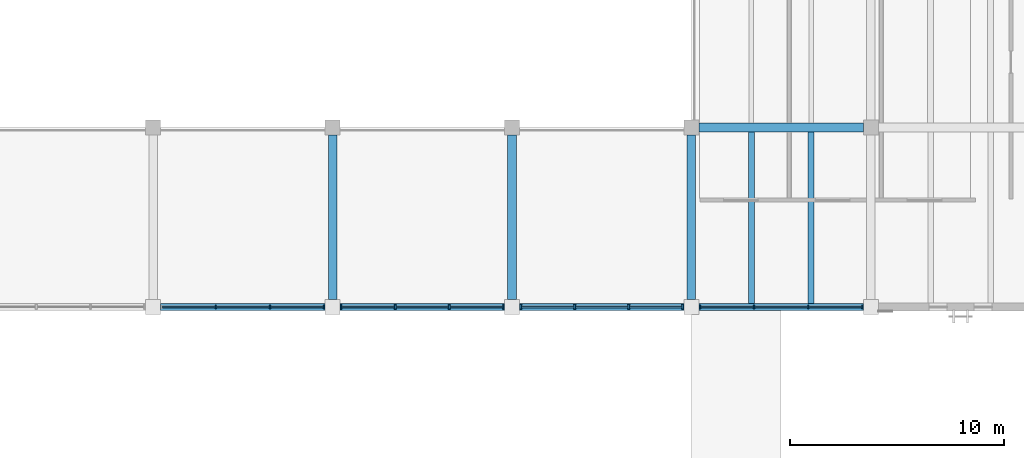
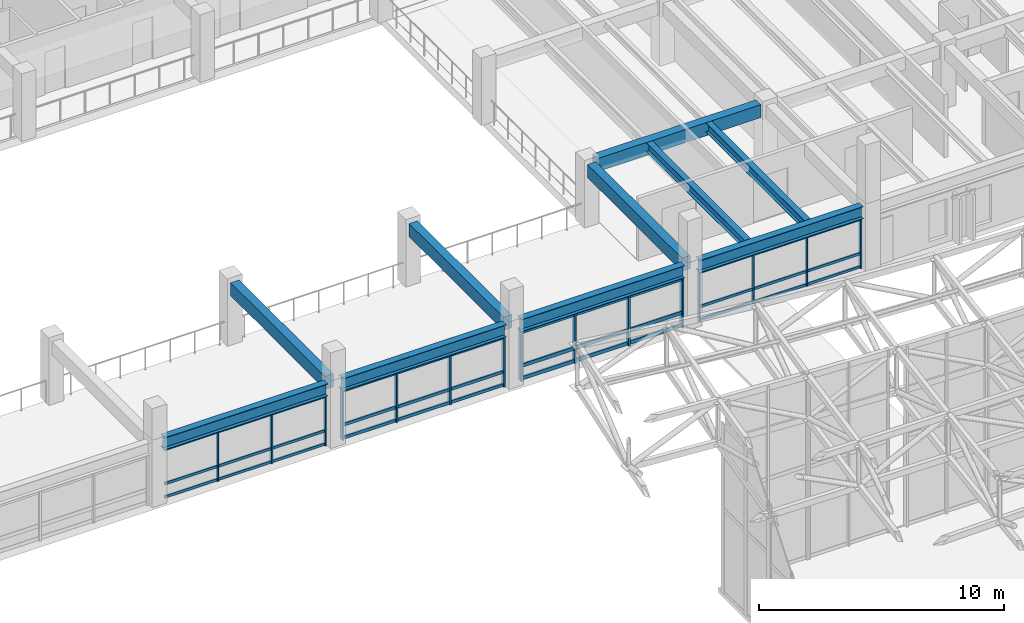
# One storey, part 55 of 123: 51 members, 10 beams, 4 elements without a shape of their own.
"""IFC4 building model written with IfcOpenShell, lengths in metres."""

from ifc_helpers import new_model, si_unit, direction, frame, origin, origin_2d, place, context, subcontext, project, spatial, rectangle, i_section, extrude, material, material_profile, profile_set, type_object, element, aggregate, save


model = new_model("IFC4")

# Units and contexts
model_context = context("Model", 3, precision=1e-05, world=origin(), true_north=direction((0.0, 1.0)))
body_context = subcontext(model_context, "Body", "Model", "MODEL_VIEW")
ifc_project = project(units=[si_unit("LENGTHUNIT", "METRE"), si_unit("AREAUNIT", "SQUARE_METRE"), si_unit("VOLUMEUNIT", "CUBIC_METRE"), si_unit("PLANEANGLEUNIT", "RADIAN"), si_unit("MASSUNIT", "GRAM", prefix="KILO")], contexts=[model_context])

# Site, building, storey
site_placement = place(None, origin())
site = spatial("IfcSite", under=ifc_project, at=site_placement, CompositionType="ELEMENT")
building_placement = place(site_placement, origin())
building = spatial("IfcBuilding", under=site, at=building_placement, Name="Cumbredor Promenade Congress Hotel", CompositionType="ELEMENT")
storey_placement = place(building_placement, frame((0.0, 0.0, 11.760009765625)))
storey = spatial("IfcBuildingStorey", under=building, at=storey_placement, Name="L03", CompositionType="ELEMENT", Elevation=11.760009765625)

# Beams
ifc_material_1 = material(Name="Concrete C40/50", Category="concrete")
ifc_material_profile_1 = material_profile(ifc_material_1, rectangle(XDim=0.39990234375, YDim=0.64990234375, at=origin_2d()), Name="RC BEAM 400x650")
ifc_profile_set_1 = profile_set([ifc_material_profile_1], Name="Concrete C40/50")
beam_type_1 = type_object("IfcBeamType", Name="BM-RC-400x650", PredefinedType="BEAM", material=ifc_profile_set_1)
for number, where, z_axis, x_axis, name in (
    (1, (134.39990234375, 84.35009765625, 2.794921875), (0.0, 1.0, 0.0), (-1.0, 0.0, 0.0), "L04 Y-Grid Beam 195"),
    (2, (142.800048828125, 84.35009765625, 2.794921875), (0.0, 1.0, 0.0), (-1.0, 0.0, 0.0), "L04 Y-Grid Beam 199"),
    (3, (151.199951171875, 84.35009765625, 2.794921875), (0.0, 1.0, 0.0), (-1.0, 0.0, 0.0), "L04 Y-Grid Beam 203"),
    (4, (151.550048828125, 92.39990234375, 2.794921875), (1.0, 0.0, 0.0), (0.0, 1.0, 0.0), "L04 X-Grid Beam 204"),
):
    element("IfcBeam", number, at=place(storey_placement, frame(where, z_axis=z_axis, x_axis=x_axis)), inside=storey, type_object=beam_type_1, Name=name, PredefinedType="BEAM", context=body_context, shape_type="SweptSolid", body=[
        extrude(rectangle(XDim=0.39990234375, YDim=0.64990234375, at=origin_2d()), origin(), (0.0, 0.0, 1.0), 7.699951171875),
    ])
ifc_material_2 = material(Name="Steel ASTM A992 Grade 50", Category="steel")
ifc_material_profile_2 = material_profile(ifc_material_2, i_section(OverallWidth=0.323974609375, OverallDepth=0.611083984375, WebThickness=0.0126953125, FlangeThickness=0.01904296875, at=origin_2d()), Name="W24X104")
ifc_profile_set_2 = profile_set([ifc_material_profile_2], Name="Steel ASTM A992 Grade 50")
beam_type_2 = type_object("IfcBeamType", Name="BM-W24X104", PredefinedType="BEAM", material=ifc_profile_set_2)
for number, where, z_axis, x_axis, name in (
    (5, (126.35009765625, 84.0, 2.814453125), (1.0, 0.0, 0.0), (0.0, 1.0, 0.0), "L04 X-Grid Beam 190"),
    (6, (134.75, 84.0, 2.814453125), (1.0, 0.0, 0.0), (0.0, 1.0, 0.0), "L04 X-Grid Beam 194"),
):
    element("IfcBeam", number, at=place(storey_placement, frame(where, z_axis=z_axis, x_axis=x_axis)), inside=storey, type_object=beam_type_2, Name=name, PredefinedType="BEAM", context=body_context, shape_type="SweptSolid", body=[
        extrude(i_section(OverallWidth=0.323974609375, OverallDepth=0.611083984375, WebThickness=0.0126953125, FlangeThickness=0.01904296875, at=origin_2d()), origin(), (0.0, 0.0, 1.0), 7.699951171875),
    ])
beam_1_placement = place(storey_placement, frame((143.14990234375, 84.0, 2.814453125), z_axis=(1.0, 0.0, 0.0), x_axis=(0.0, 1.0, 0.0)))
element("IfcBeam", 7, at=beam_1_placement, inside=storey, type_object=beam_type_2, Name="L04 X-Grid Beam 198", PredefinedType="BEAM", context=body_context, shape_type="SweptSolid", body=[
    extrude(i_section(OverallWidth=0.323974609375, OverallDepth=0.611083984375, WebThickness=0.0126953125, FlangeThickness=0.01904296875, at=origin_2d()), origin(), (0.0, 0.0, 1.0), 7.7001953125),
])
beam_2_placement = place(storey_placement, frame((151.550048828125, 84.0, 2.814453125), z_axis=(1.0, 0.0, 0.0), x_axis=(0.0, 1.0, 0.0)))
element("IfcBeam", 8, at=beam_2_placement, inside=storey, type_object=beam_type_2, Name="L04 X-Grid Beam 202", PredefinedType="BEAM", context=body_context, shape_type="SweptSolid", body=[
    extrude(i_section(OverallWidth=0.323974609375, OverallDepth=0.611083984375, WebThickness=0.0126953125, FlangeThickness=0.01904296875, at=origin_2d()), origin(), (0.0, 0.0, 1.0), 7.699951171875),
])

# Curtain wall, members
ifc_material_3 = material(Name="Thermally broken anodized aluminium and low-E glass", Category="aluminium")
curtain_wall_type = type_object("IfcCurtainWallType", Name="Unitised Forum Curtain Wall CW-02", PredefinedType="NOTDEFINED", material=ifc_material_3)
curtain_wall_1_placement = place(storey_placement, origin())
curtain_wall_1 = element("IfcCurtainWall", 9, at=curtain_wall_1_placement, inside=storey, type_object=curtain_wall_type, Name="L03 Pre-Function and Breakout Meeting Forum South Curtain Wall 5", PredefinedType="NOTDEFINED")
ifc_material_4 = material(Name="Thermally broken anodized aluminium", Category="aluminium")
ifc_material_profile_3 = material_profile(ifc_material_4, rectangle(XDim=0.06494140625, YDim=0.159912109375, at=origin_2d()), Name="ALU MULLION 65x160")
ifc_profile_set_3 = profile_set([ifc_material_profile_3], Name="Thermally broken anodized aluminium")
member_type_1 = type_object("IfcMemberType", Name="Curtain Wall Mullion ML-01", PredefinedType="MULLION", material=ifc_profile_set_3)
member_1_placement = place(storey_placement, frame((128.93505859375, 84.0, -0.008056640625), z_axis=(0.0, 0.0, 1.0), x_axis=(1.0, 0.0, 0.0)))
member_1 = element("IfcMember", 10, at=member_1_placement, type_object=member_type_1, Name="L03 Pre-Function and Breakout Meeting Forum South Curtain Wall 5 Mullion 2", PredefinedType="MULLION", context=body_context, shape_type="SweptSolid", body=[
    extrude(rectangle(XDim=0.06494140625, YDim=0.159912109375, at=origin_2d()), origin(), (0.0, 0.0, 1.0), 2.510009765625),
])
member_2_placement = place(storey_placement, frame((131.465087890625, 84.0, -0.008056640625), z_axis=(0.0, 0.0, 1.0), x_axis=(1.0, 0.0, 0.0)))
member_2 = element("IfcMember", 11, at=member_2_placement, type_object=member_type_1, Name="L03 Pre-Function and Breakout Meeting Forum South Curtain Wall 5 Mullion 3", PredefinedType="MULLION", context=body_context, shape_type="SweptSolid", body=[
    extrude(rectangle(XDim=0.06494140625, YDim=0.159912109375, at=origin_2d()), origin(), (0.0, 0.0, 1.0), 2.510009765625),
])
member_3_placement = place(storey_placement, frame((133.9951171875, 84.0, -0.008056640625), z_axis=(0.0, 0.0, 1.0), x_axis=(1.0, 0.0, 0.0)))
member_3 = element("IfcMember", 12, at=member_3_placement, type_object=member_type_1, Name="L03 Pre-Function and Breakout Meeting Forum South Curtain Wall 5 Mullion 4", PredefinedType="MULLION", context=body_context, shape_type="SweptSolid", body=[
    extrude(rectangle(XDim=0.06494140625, YDim=0.159912109375, at=origin_2d()), origin(), (0.0, 0.0, 1.0), 2.510009765625),
])

curtain_wall_2_placement = place(storey_placement, origin())
curtain_wall_2 = element("IfcCurtainWall", 13, at=curtain_wall_2_placement, inside=storey, type_object=curtain_wall_type, Name="L03 Pre-Function and Breakout Meeting Forum South Curtain Wall 8", PredefinedType="NOTDEFINED")
member_4_placement = place(storey_placement, frame((151.60498046875, 84.0, -0.008056640625), z_axis=(0.0, 0.0, 1.0), x_axis=(1.0, 0.0, 0.0)))
member_4 = element("IfcMember", 14, at=member_4_placement, type_object=member_type_1, Name="L03 Pre-Function and Breakout Meeting Forum South Curtain Wall 8 Mullion 1", PredefinedType="MULLION", context=body_context, shape_type="SweptSolid", body=[
    extrude(rectangle(XDim=0.06494140625, YDim=0.159912109375, at=origin_2d()), origin(), (0.0, 0.0, 1.0), 2.510009765625),
])
member_5_placement = place(storey_placement, frame((154.135009765625, 84.0, -0.008056640625), z_axis=(0.0, 0.0, 1.0), x_axis=(1.0, 0.0, 0.0)))
member_5 = element("IfcMember", 15, at=member_5_placement, type_object=member_type_1, Name="L03 Pre-Function and Breakout Meeting Forum South Curtain Wall 8 Mullion 2", PredefinedType="MULLION", context=body_context, shape_type="SweptSolid", body=[
    extrude(rectangle(XDim=0.06494140625, YDim=0.159912109375, at=origin_2d()), origin(), (0.0, 0.0, 1.0), 2.510009765625),
])
member_6_placement = place(storey_placement, frame((156.6650390625, 84.0, -0.008056640625), z_axis=(0.0, 0.0, 1.0), x_axis=(1.0, 0.0, 0.0)))
member_6 = element("IfcMember", 16, at=member_6_placement, type_object=member_type_1, Name="L03 Pre-Function and Breakout Meeting Forum South Curtain Wall 8 Mullion 3", PredefinedType="MULLION", context=body_context, shape_type="SweptSolid", body=[
    extrude(rectangle(XDim=0.06494140625, YDim=0.159912109375, at=origin_2d()), origin(), (0.0, 0.0, 1.0), 2.510009765625),
])
member_7_placement = place(storey_placement, frame((159.195068359375, 84.0, -0.008056640625), z_axis=(0.0, 0.0, 1.0), x_axis=(1.0, 0.0, 0.0)))
member_7 = element("IfcMember", 17, at=member_7_placement, type_object=member_type_1, Name="L03 Pre-Function and Breakout Meeting Forum South Curtain Wall 8 Mullion 4", PredefinedType="MULLION", context=body_context, shape_type="SweptSolid", body=[
    extrude(rectangle(XDim=0.06494140625, YDim=0.159912109375, at=origin_2d()), origin(), (0.0, 0.0, 1.0), 2.510009765625),
])

curtain_wall_3_placement = place(storey_placement, origin())
curtain_wall_3 = element("IfcCurtainWall", 18, at=curtain_wall_3_placement, inside=storey, type_object=curtain_wall_type, Name="L03 Pre-Function and Breakout Meeting Forum South Curtain Wall 6", PredefinedType="NOTDEFINED")
ifc_material_profile_4 = material_profile(ifc_material_4, rectangle(XDim=0.074951171875, YDim=0.199951171875, at=origin_2d()), Name="ALU MULLION 75x200")
ifc_profile_set_4 = profile_set([ifc_material_profile_4], Name="Thermally broken anodized aluminium")
member_type_2 = type_object("IfcMemberType", Name="Curtain Wall Mullion ML-02", PredefinedType="MULLION", material=ifc_profile_set_4)
member_8_placement = place(storey_placement, frame((134.804931640625, 84.0, -0.008056640625), z_axis=(0.0, 0.0, 1.0), x_axis=(1.0, 0.0, 0.0)))
member_8 = element("IfcMember", 19, at=member_8_placement, type_object=member_type_2, Name="L03 Pre-Function and Breakout Meeting Forum South Curtain Wall 6 Mullion 1", PredefinedType="MULLION", context=body_context, shape_type="SweptSolid", body=[
    extrude(rectangle(XDim=0.074951171875, YDim=0.199951171875, at=origin_2d()), origin(), (0.0, 0.0, 1.0), 2.510009765625),
])
member_9_placement = place(storey_placement, frame((137.3349609375, 84.0, -0.008056640625), z_axis=(0.0, 0.0, 1.0), x_axis=(1.0, 0.0, 0.0)))
member_9 = element("IfcMember", 20, at=member_9_placement, type_object=member_type_2, Name="L03 Pre-Function and Breakout Meeting Forum South Curtain Wall 6 Mullion 2", PredefinedType="MULLION", context=body_context, shape_type="SweptSolid", body=[
    extrude(rectangle(XDim=0.074951171875, YDim=0.199951171875, at=origin_2d()), origin(), (0.0, 0.0, 1.0), 2.510009765625),
])
member_10_placement = place(storey_placement, frame((139.864990234375, 84.0, -0.008056640625), z_axis=(0.0, 0.0, 1.0), x_axis=(1.0, 0.0, 0.0)))
member_10 = element("IfcMember", 21, at=member_10_placement, type_object=member_type_2, Name="L03 Pre-Function and Breakout Meeting Forum South Curtain Wall 6 Mullion 3", PredefinedType="MULLION", context=body_context, shape_type="SweptSolid", body=[
    extrude(rectangle(XDim=0.074951171875, YDim=0.199951171875, at=origin_2d()), origin(), (0.0, 0.0, 1.0), 2.510009765625),
])
member_11_placement = place(storey_placement, frame((142.39501953125, 84.0, -0.008056640625), z_axis=(0.0, 0.0, 1.0), x_axis=(1.0, 0.0, 0.0)))
member_11 = element("IfcMember", 22, at=member_11_placement, type_object=member_type_2, Name="L03 Pre-Function and Breakout Meeting Forum South Curtain Wall 6 Mullion 4", PredefinedType="MULLION", context=body_context, shape_type="SweptSolid", body=[
    extrude(rectangle(XDim=0.074951171875, YDim=0.199951171875, at=origin_2d()), origin(), (0.0, 0.0, 1.0), 2.510009765625),
])

curtain_wall_4_placement = place(storey_placement, origin())
curtain_wall_4 = element("IfcCurtainWall", 23, at=curtain_wall_4_placement, inside=storey, type_object=curtain_wall_type, Name="L03 Pre-Function and Breakout Meeting Forum South Curtain Wall 7", PredefinedType="NOTDEFINED")
ifc_material_profile_5 = material_profile(ifc_material_4, rectangle(XDim=0.080078125, YDim=0.239990234375, at=origin_2d()), Name="ALU MULLION 80x240")
ifc_profile_set_5 = profile_set([ifc_material_profile_5], Name="Thermally broken anodized aluminium")
member_type_3 = type_object("IfcMemberType", Name="Curtain Wall Mullion ML-03", PredefinedType="MULLION", material=ifc_profile_set_5)
member_12_placement = place(storey_placement, frame((143.205078125, 84.0, -0.008056640625), z_axis=(0.0, 0.0, 1.0), x_axis=(1.0, 0.0, 0.0)))
member_12 = element("IfcMember", 24, at=member_12_placement, type_object=member_type_3, Name="L03 Pre-Function and Breakout Meeting Forum South Curtain Wall 7 Mullion 1", PredefinedType="MULLION", context=body_context, shape_type="SweptSolid", body=[
    extrude(rectangle(XDim=0.080078125, YDim=0.239990234375, at=origin_2d()), origin(), (0.0, 0.0, 1.0), 2.510009765625),
])
member_13_placement = place(storey_placement, frame((145.735107421875, 84.0, -0.008056640625), z_axis=(0.0, 0.0, 1.0), x_axis=(1.0, 0.0, 0.0)))
member_13 = element("IfcMember", 25, at=member_13_placement, type_object=member_type_3, Name="L03 Pre-Function and Breakout Meeting Forum South Curtain Wall 7 Mullion 2", PredefinedType="MULLION", context=body_context, shape_type="SweptSolid", body=[
    extrude(rectangle(XDim=0.080078125, YDim=0.239990234375, at=origin_2d()), origin(), (0.0, 0.0, 1.0), 2.510009765625),
])
member_14_placement = place(storey_placement, frame((148.264892578125, 84.0, -0.008056640625), z_axis=(0.0, 0.0, 1.0), x_axis=(1.0, 0.0, 0.0)))
member_14 = element("IfcMember", 26, at=member_14_placement, type_object=member_type_3, Name="L03 Pre-Function and Breakout Meeting Forum South Curtain Wall 7 Mullion 3", PredefinedType="MULLION", context=body_context, shape_type="SweptSolid", body=[
    extrude(rectangle(XDim=0.080078125, YDim=0.239990234375, at=origin_2d()), origin(), (0.0, 0.0, 1.0), 2.510009765625),
])
member_15_placement = place(storey_placement, frame((150.794921875, 84.0, -0.008056640625), z_axis=(0.0, 0.0, 1.0), x_axis=(1.0, 0.0, 0.0)))
member_15 = element("IfcMember", 27, at=member_15_placement, type_object=member_type_3, Name="L03 Pre-Function and Breakout Meeting Forum South Curtain Wall 7 Mullion 4", PredefinedType="MULLION", context=body_context, shape_type="SweptSolid", body=[
    extrude(rectangle(XDim=0.080078125, YDim=0.239990234375, at=origin_2d()), origin(), (0.0, 0.0, 1.0), 2.510009765625),
])

# Member
ifc_material_profile_6 = material_profile(ifc_material_4, rectangle(XDim=0.06494140625, YDim=0.1298828125, at=origin_2d()), Name="ALU TRANSOM 65x130")
ifc_profile_set_6 = profile_set([ifc_material_profile_6], Name="Thermally broken anodized aluminium")
member_type_4 = type_object("IfcMemberType", Name="Curtain Wall Transom TR-01", PredefinedType="USERDEFINED", material=ifc_profile_set_6)
member_16_placement = place(storey_placement, frame((126.4375, 84.0, 0.06005859375), z_axis=(1.0, 0.0, 0.0), x_axis=(0.0, 1.0, 0.0)))
member_16 = element("IfcMember", 28, at=member_16_placement, type_object=member_type_4, Name="L03 Pre-Function and Breakout Meeting Forum South Curtain Wall 5 Transom 1.1", ObjectType="TRANSOM", PredefinedType="USERDEFINED", context=body_context, shape_type="SweptSolid", body=[
    extrude(rectangle(XDim=0.06494140625, YDim=0.1298828125, at=origin_2d()), origin(), (0.0, 0.0, 1.0), 2.465087890625),
])

member_17_placement = place(storey_placement, frame((126.4375, 84.0, 0.719970703125), z_axis=(1.0, 0.0, 0.0), x_axis=(0.0, 1.0, 0.0)))
member_17 = element("IfcMember", 29, at=member_17_placement, type_object=member_type_4, Name="L03 Pre-Function and Breakout Meeting Forum South Curtain Wall 5 Transom 1.2", ObjectType="TRANSOM", PredefinedType="USERDEFINED", context=body_context, shape_type="SweptSolid", body=[
    extrude(rectangle(XDim=0.06494140625, YDim=0.1298828125, at=origin_2d()), origin(), (0.0, 0.0, 1.0), 2.465087890625),
])

member_18_placement = place(storey_placement, frame((126.4375, 84.0, 2.429931640625), z_axis=(1.0, 0.0, 0.0), x_axis=(0.0, 1.0, 0.0)))
member_18 = element("IfcMember", 30, at=member_18_placement, type_object=member_type_4, Name="L03 Pre-Function and Breakout Meeting Forum South Curtain Wall 5 Transom 1.3", ObjectType="TRANSOM", PredefinedType="USERDEFINED", context=body_context, shape_type="SweptSolid", body=[
    extrude(rectangle(XDim=0.06494140625, YDim=0.1298828125, at=origin_2d()), origin(), (0.0, 0.0, 1.0), 2.465087890625),
])

member_19_placement = place(storey_placement, frame((128.967529296875, 84.0, 0.06005859375), z_axis=(1.0, 0.0, 0.0), x_axis=(0.0, 1.0, 0.0)))
member_19 = element("IfcMember", 31, at=member_19_placement, type_object=member_type_4, Name="L03 Pre-Function and Breakout Meeting Forum South Curtain Wall 5 Transom 2.1", ObjectType="TRANSOM", PredefinedType="USERDEFINED", context=body_context, shape_type="SweptSolid", body=[
    extrude(rectangle(XDim=0.06494140625, YDim=0.1298828125, at=origin_2d()), origin(), (0.0, 0.0, 1.0), 2.465087890625),
])

member_20_placement = place(storey_placement, frame((128.967529296875, 84.0, 0.719970703125), z_axis=(1.0, 0.0, 0.0), x_axis=(0.0, 1.0, 0.0)))
member_20 = element("IfcMember", 32, at=member_20_placement, type_object=member_type_4, Name="L03 Pre-Function and Breakout Meeting Forum South Curtain Wall 5 Transom 2.2", ObjectType="TRANSOM", PredefinedType="USERDEFINED", context=body_context, shape_type="SweptSolid", body=[
    extrude(rectangle(XDim=0.06494140625, YDim=0.1298828125, at=origin_2d()), origin(), (0.0, 0.0, 1.0), 2.465087890625),
])

member_21_placement = place(storey_placement, frame((128.967529296875, 84.0, 2.429931640625), z_axis=(1.0, 0.0, 0.0), x_axis=(0.0, 1.0, 0.0)))
member_21 = element("IfcMember", 33, at=member_21_placement, type_object=member_type_4, Name="L03 Pre-Function and Breakout Meeting Forum South Curtain Wall 5 Transom 2.3", ObjectType="TRANSOM", PredefinedType="USERDEFINED", context=body_context, shape_type="SweptSolid", body=[
    extrude(rectangle(XDim=0.06494140625, YDim=0.1298828125, at=origin_2d()), origin(), (0.0, 0.0, 1.0), 2.465087890625),
])

member_22_placement = place(storey_placement, frame((131.49755859375, 84.0, 0.06005859375), z_axis=(1.0, 0.0, 0.0), x_axis=(0.0, 1.0, 0.0)))
member_22 = element("IfcMember", 34, at=member_22_placement, type_object=member_type_4, Name="L03 Pre-Function and Breakout Meeting Forum South Curtain Wall 5 Transom 3.1", ObjectType="TRANSOM", PredefinedType="USERDEFINED", context=body_context, shape_type="SweptSolid", body=[
    extrude(rectangle(XDim=0.06494140625, YDim=0.1298828125, at=origin_2d()), origin(), (0.0, 0.0, 1.0), 2.46484375),
])

member_23_placement = place(storey_placement, frame((131.49755859375, 84.0, 0.719970703125), z_axis=(1.0, 0.0, 0.0), x_axis=(0.0, 1.0, 0.0)))
member_23 = element("IfcMember", 35, at=member_23_placement, type_object=member_type_4, Name="L03 Pre-Function and Breakout Meeting Forum South Curtain Wall 5 Transom 3.2", ObjectType="TRANSOM", PredefinedType="USERDEFINED", context=body_context, shape_type="SweptSolid", body=[
    extrude(rectangle(XDim=0.06494140625, YDim=0.1298828125, at=origin_2d()), origin(), (0.0, 0.0, 1.0), 2.46484375),
])

member_24_placement = place(storey_placement, frame((131.49755859375, 84.0, 2.429931640625), z_axis=(1.0, 0.0, 0.0), x_axis=(0.0, 1.0, 0.0)))
member_24 = element("IfcMember", 36, at=member_24_placement, type_object=member_type_4, Name="L03 Pre-Function and Breakout Meeting Forum South Curtain Wall 5 Transom 3.3", ObjectType="TRANSOM", PredefinedType="USERDEFINED", context=body_context, shape_type="SweptSolid", body=[
    extrude(rectangle(XDim=0.06494140625, YDim=0.1298828125, at=origin_2d()), origin(), (0.0, 0.0, 1.0), 2.46484375),
])

aggregate(curtain_wall_1, [member_1, member_2, member_3, member_16, member_17, member_18, member_19, member_20, member_21, member_22, member_23, member_24])

member_25_placement = place(storey_placement, frame((151.637451171875, 84.0, 0.06005859375), z_axis=(1.0, 0.0, 0.0), x_axis=(0.0, 1.0, 0.0)))
member_25 = element("IfcMember", 37, at=member_25_placement, type_object=member_type_4, Name="L03 Pre-Function and Breakout Meeting Forum South Curtain Wall 8 Transom 1.1", ObjectType="TRANSOM", PredefinedType="USERDEFINED", context=body_context, shape_type="SweptSolid", body=[
    extrude(rectangle(XDim=0.06494140625, YDim=0.1298828125, at=origin_2d()), origin(), (0.0, 0.0, 1.0), 2.465087890625),
])

member_26_placement = place(storey_placement, frame((151.637451171875, 84.0, 0.719970703125), z_axis=(1.0, 0.0, 0.0), x_axis=(0.0, 1.0, 0.0)))
member_26 = element("IfcMember", 38, at=member_26_placement, type_object=member_type_4, Name="L03 Pre-Function and Breakout Meeting Forum South Curtain Wall 8 Transom 1.2", ObjectType="TRANSOM", PredefinedType="USERDEFINED", context=body_context, shape_type="SweptSolid", body=[
    extrude(rectangle(XDim=0.06494140625, YDim=0.1298828125, at=origin_2d()), origin(), (0.0, 0.0, 1.0), 2.465087890625),
])

member_27_placement = place(storey_placement, frame((151.637451171875, 84.0, 2.429931640625), z_axis=(1.0, 0.0, 0.0), x_axis=(0.0, 1.0, 0.0)))
member_27 = element("IfcMember", 39, at=member_27_placement, type_object=member_type_4, Name="L03 Pre-Function and Breakout Meeting Forum South Curtain Wall 8 Transom 1.3", ObjectType="TRANSOM", PredefinedType="USERDEFINED", context=body_context, shape_type="SweptSolid", body=[
    extrude(rectangle(XDim=0.06494140625, YDim=0.1298828125, at=origin_2d()), origin(), (0.0, 0.0, 1.0), 2.465087890625),
])

member_28_placement = place(storey_placement, frame((154.16748046875, 84.0, 0.06005859375), z_axis=(1.0, 0.0, 0.0), x_axis=(0.0, 1.0, 0.0)))
member_28 = element("IfcMember", 40, at=member_28_placement, type_object=member_type_4, Name="L03 Pre-Function and Breakout Meeting Forum South Curtain Wall 8 Transom 2.1", ObjectType="TRANSOM", PredefinedType="USERDEFINED", context=body_context, shape_type="SweptSolid", body=[
    extrude(rectangle(XDim=0.06494140625, YDim=0.1298828125, at=origin_2d()), origin(), (0.0, 0.0, 1.0), 2.465087890625),
])

member_29_placement = place(storey_placement, frame((154.16748046875, 84.0, 0.719970703125), z_axis=(1.0, 0.0, 0.0), x_axis=(0.0, 1.0, 0.0)))
member_29 = element("IfcMember", 41, at=member_29_placement, type_object=member_type_4, Name="L03 Pre-Function and Breakout Meeting Forum South Curtain Wall 8 Transom 2.2", ObjectType="TRANSOM", PredefinedType="USERDEFINED", context=body_context, shape_type="SweptSolid", body=[
    extrude(rectangle(XDim=0.06494140625, YDim=0.1298828125, at=origin_2d()), origin(), (0.0, 0.0, 1.0), 2.465087890625),
])

member_30_placement = place(storey_placement, frame((154.16748046875, 84.0, 2.429931640625), z_axis=(1.0, 0.0, 0.0), x_axis=(0.0, 1.0, 0.0)))
member_30 = element("IfcMember", 42, at=member_30_placement, type_object=member_type_4, Name="L03 Pre-Function and Breakout Meeting Forum South Curtain Wall 8 Transom 2.3", ObjectType="TRANSOM", PredefinedType="USERDEFINED", context=body_context, shape_type="SweptSolid", body=[
    extrude(rectangle(XDim=0.06494140625, YDim=0.1298828125, at=origin_2d()), origin(), (0.0, 0.0, 1.0), 2.465087890625),
])

member_31_placement = place(storey_placement, frame((156.697509765625, 84.0, 0.06005859375), z_axis=(1.0, 0.0, 0.0), x_axis=(0.0, 1.0, 0.0)))
member_31 = element("IfcMember", 43, at=member_31_placement, type_object=member_type_4, Name="L03 Pre-Function and Breakout Meeting Forum South Curtain Wall 8 Transom 3.1", ObjectType="TRANSOM", PredefinedType="USERDEFINED", context=body_context, shape_type="SweptSolid", body=[
    extrude(rectangle(XDim=0.06494140625, YDim=0.1298828125, at=origin_2d()), origin(), (0.0, 0.0, 1.0), 2.465087890625),
])

member_32_placement = place(storey_placement, frame((156.697509765625, 84.0, 0.719970703125), z_axis=(1.0, 0.0, 0.0), x_axis=(0.0, 1.0, 0.0)))
member_32 = element("IfcMember", 44, at=member_32_placement, type_object=member_type_4, Name="L03 Pre-Function and Breakout Meeting Forum South Curtain Wall 8 Transom 3.2", ObjectType="TRANSOM", PredefinedType="USERDEFINED", context=body_context, shape_type="SweptSolid", body=[
    extrude(rectangle(XDim=0.06494140625, YDim=0.1298828125, at=origin_2d()), origin(), (0.0, 0.0, 1.0), 2.465087890625),
])

member_33_placement = place(storey_placement, frame((156.697509765625, 84.0, 2.429931640625), z_axis=(1.0, 0.0, 0.0), x_axis=(0.0, 1.0, 0.0)))
member_33 = element("IfcMember", 45, at=member_33_placement, type_object=member_type_4, Name="L03 Pre-Function and Breakout Meeting Forum South Curtain Wall 8 Transom 3.3", ObjectType="TRANSOM", PredefinedType="USERDEFINED", context=body_context, shape_type="SweptSolid", body=[
    extrude(rectangle(XDim=0.06494140625, YDim=0.1298828125, at=origin_2d()), origin(), (0.0, 0.0, 1.0), 2.465087890625),
])

aggregate(curtain_wall_2, [member_4, member_5, member_6, member_7, member_25, member_26, member_27, member_28, member_29, member_30, member_31, member_32, member_33])

ifc_material_profile_7 = material_profile(ifc_material_4, rectangle(XDim=0.074951171875, YDim=0.14990234375, at=origin_2d()), Name="ALU TRANSOM 75x150")
ifc_profile_set_7 = profile_set([ifc_material_profile_7], Name="Thermally broken anodized aluminium")
member_type_5 = type_object("IfcMemberType", Name="Curtain Wall Transom TR-02", PredefinedType="USERDEFINED", material=ifc_profile_set_7)
member_34_placement = place(storey_placement, frame((134.842529296875, 84.0, 0.070068359375), z_axis=(1.0, 0.0, 0.0), x_axis=(0.0, 1.0, 0.0)))
member_34 = element("IfcMember", 46, at=member_34_placement, type_object=member_type_5, Name="L03 Pre-Function and Breakout Meeting Forum South Curtain Wall 6 Transom 1.1", ObjectType="TRANSOM", PredefinedType="USERDEFINED", context=body_context, shape_type="SweptSolid", body=[
    extrude(rectangle(XDim=0.074951171875, YDim=0.14990234375, at=origin_2d()), origin(), (0.0, 0.0, 1.0), 2.455078125),
])

member_35_placement = place(storey_placement, frame((134.842529296875, 84.0, 0.719970703125), z_axis=(1.0, 0.0, 0.0), x_axis=(0.0, 1.0, 0.0)))
member_35 = element("IfcMember", 47, at=member_35_placement, type_object=member_type_5, Name="L03 Pre-Function and Breakout Meeting Forum South Curtain Wall 6 Transom 1.2", ObjectType="TRANSOM", PredefinedType="USERDEFINED", context=body_context, shape_type="SweptSolid", body=[
    extrude(rectangle(XDim=0.074951171875, YDim=0.14990234375, at=origin_2d()), origin(), (0.0, 0.0, 1.0), 2.455078125),
])

member_36_placement = place(storey_placement, frame((134.842529296875, 84.0, 2.419921875), z_axis=(1.0, 0.0, 0.0), x_axis=(0.0, 1.0, 0.0)))
member_36 = element("IfcMember", 48, at=member_36_placement, type_object=member_type_5, Name="L03 Pre-Function and Breakout Meeting Forum South Curtain Wall 6 Transom 1.3", ObjectType="TRANSOM", PredefinedType="USERDEFINED", context=body_context, shape_type="SweptSolid", body=[
    extrude(rectangle(XDim=0.074951171875, YDim=0.14990234375, at=origin_2d()), origin(), (0.0, 0.0, 1.0), 2.455078125),
])

member_37_placement = place(storey_placement, frame((137.37255859375, 84.0, 0.070068359375), z_axis=(1.0, 0.0, 0.0), x_axis=(0.0, 1.0, 0.0)))
member_37 = element("IfcMember", 49, at=member_37_placement, type_object=member_type_5, Name="L03 Pre-Function and Breakout Meeting Forum South Curtain Wall 6 Transom 2.1", ObjectType="TRANSOM", PredefinedType="USERDEFINED", context=body_context, shape_type="SweptSolid", body=[
    extrude(rectangle(XDim=0.074951171875, YDim=0.14990234375, at=origin_2d()), origin(), (0.0, 0.0, 1.0), 2.454833984375),
])

member_38_placement = place(storey_placement, frame((137.37255859375, 84.0, 0.719970703125), z_axis=(1.0, 0.0, 0.0), x_axis=(0.0, 1.0, 0.0)))
member_38 = element("IfcMember", 50, at=member_38_placement, type_object=member_type_5, Name="L03 Pre-Function and Breakout Meeting Forum South Curtain Wall 6 Transom 2.2", ObjectType="TRANSOM", PredefinedType="USERDEFINED", context=body_context, shape_type="SweptSolid", body=[
    extrude(rectangle(XDim=0.074951171875, YDim=0.14990234375, at=origin_2d()), origin(), (0.0, 0.0, 1.0), 2.454833984375),
])

member_39_placement = place(storey_placement, frame((137.37255859375, 84.0, 2.419921875), z_axis=(1.0, 0.0, 0.0), x_axis=(0.0, 1.0, 0.0)))
member_39 = element("IfcMember", 51, at=member_39_placement, type_object=member_type_5, Name="L03 Pre-Function and Breakout Meeting Forum South Curtain Wall 6 Transom 2.3", ObjectType="TRANSOM", PredefinedType="USERDEFINED", context=body_context, shape_type="SweptSolid", body=[
    extrude(rectangle(XDim=0.074951171875, YDim=0.14990234375, at=origin_2d()), origin(), (0.0, 0.0, 1.0), 2.454833984375),
])

member_40_placement = place(storey_placement, frame((139.902587890625, 84.0, 0.070068359375), z_axis=(1.0, 0.0, 0.0), x_axis=(0.0, 1.0, 0.0)))
member_40 = element("IfcMember", 52, at=member_40_placement, type_object=member_type_5, Name="L03 Pre-Function and Breakout Meeting Forum South Curtain Wall 6 Transom 3.1", ObjectType="TRANSOM", PredefinedType="USERDEFINED", context=body_context, shape_type="SweptSolid", body=[
    extrude(rectangle(XDim=0.074951171875, YDim=0.14990234375, at=origin_2d()), origin(), (0.0, 0.0, 1.0), 2.454833984375),
])

member_41_placement = place(storey_placement, frame((139.902587890625, 84.0, 0.719970703125), z_axis=(1.0, 0.0, 0.0), x_axis=(0.0, 1.0, 0.0)))
member_41 = element("IfcMember", 53, at=member_41_placement, type_object=member_type_5, Name="L03 Pre-Function and Breakout Meeting Forum South Curtain Wall 6 Transom 3.2", ObjectType="TRANSOM", PredefinedType="USERDEFINED", context=body_context, shape_type="SweptSolid", body=[
    extrude(rectangle(XDim=0.074951171875, YDim=0.14990234375, at=origin_2d()), origin(), (0.0, 0.0, 1.0), 2.454833984375),
])

member_42_placement = place(storey_placement, frame((139.902587890625, 84.0, 2.419921875), z_axis=(1.0, 0.0, 0.0), x_axis=(0.0, 1.0, 0.0)))
member_42 = element("IfcMember", 54, at=member_42_placement, type_object=member_type_5, Name="L03 Pre-Function and Breakout Meeting Forum South Curtain Wall 6 Transom 3.3", ObjectType="TRANSOM", PredefinedType="USERDEFINED", context=body_context, shape_type="SweptSolid", body=[
    extrude(rectangle(XDim=0.074951171875, YDim=0.14990234375, at=origin_2d()), origin(), (0.0, 0.0, 1.0), 2.454833984375),
])

aggregate(curtain_wall_3, [member_8, member_9, member_10, member_11, member_34, member_35, member_36, member_37, member_38, member_39, member_40, member_41, member_42])

ifc_material_profile_8 = material_profile(ifc_material_4, rectangle(XDim=0.080078125, YDim=0.179931640625, at=origin_2d()), Name="ALU TRANSOM 80x180")
ifc_profile_set_8 = profile_set([ifc_material_profile_8], Name="Thermally broken anodized aluminium")
member_type_6 = type_object("IfcMemberType", Name="Curtain Wall Transom TR-03", PredefinedType="USERDEFINED", material=ifc_profile_set_8)
member_43_placement = place(storey_placement, frame((143.2451171875, 84.0, 0.090087890625), z_axis=(1.0, 0.0, 0.0), x_axis=(0.0, 1.0, 0.0)))
member_43 = element("IfcMember", 55, at=member_43_placement, type_object=member_type_6, Name="L03 Pre-Function and Breakout Meeting Forum South Curtain Wall 7 Transom 1.1", ObjectType="TRANSOM", PredefinedType="USERDEFINED", context=body_context, shape_type="SweptSolid", body=[
    extrude(rectangle(XDim=0.080078125, YDim=0.179931640625, at=origin_2d()), origin(), (0.0, 0.0, 1.0), 2.449951171875),
])

member_44_placement = place(storey_placement, frame((143.2451171875, 84.0, 0.719970703125), z_axis=(1.0, 0.0, 0.0), x_axis=(0.0, 1.0, 0.0)))
member_44 = element("IfcMember", 56, at=member_44_placement, type_object=member_type_6, Name="L03 Pre-Function and Breakout Meeting Forum South Curtain Wall 7 Transom 1.2", ObjectType="TRANSOM", PredefinedType="USERDEFINED", context=body_context, shape_type="SweptSolid", body=[
    extrude(rectangle(XDim=0.080078125, YDim=0.179931640625, at=origin_2d()), origin(), (0.0, 0.0, 1.0), 2.449951171875),
])

member_45_placement = place(storey_placement, frame((143.2451171875, 84.0, 2.39990234375), z_axis=(1.0, 0.0, 0.0), x_axis=(0.0, 1.0, 0.0)))
member_45 = element("IfcMember", 57, at=member_45_placement, type_object=member_type_6, Name="L03 Pre-Function and Breakout Meeting Forum South Curtain Wall 7 Transom 1.3", ObjectType="TRANSOM", PredefinedType="USERDEFINED", context=body_context, shape_type="SweptSolid", body=[
    extrude(rectangle(XDim=0.080078125, YDim=0.179931640625, at=origin_2d()), origin(), (0.0, 0.0, 1.0), 2.449951171875),
])

member_46_placement = place(storey_placement, frame((145.77490234375, 84.0, 0.090087890625), z_axis=(1.0, 0.0, 0.0), x_axis=(0.0, 1.0, 0.0)))
member_46 = element("IfcMember", 58, at=member_46_placement, type_object=member_type_6, Name="L03 Pre-Function and Breakout Meeting Forum South Curtain Wall 7 Transom 2.1", ObjectType="TRANSOM", PredefinedType="USERDEFINED", context=body_context, shape_type="SweptSolid", body=[
    extrude(rectangle(XDim=0.080078125, YDim=0.179931640625, at=origin_2d()), origin(), (0.0, 0.0, 1.0), 2.4501953125),
])

member_47_placement = place(storey_placement, frame((145.77490234375, 84.0, 0.719970703125), z_axis=(1.0, 0.0, 0.0), x_axis=(0.0, 1.0, 0.0)))
member_47 = element("IfcMember", 59, at=member_47_placement, type_object=member_type_6, Name="L03 Pre-Function and Breakout Meeting Forum South Curtain Wall 7 Transom 2.2", ObjectType="TRANSOM", PredefinedType="USERDEFINED", context=body_context, shape_type="SweptSolid", body=[
    extrude(rectangle(XDim=0.080078125, YDim=0.179931640625, at=origin_2d()), origin(), (0.0, 0.0, 1.0), 2.4501953125),
])

member_48_placement = place(storey_placement, frame((145.77490234375, 84.0, 2.39990234375), z_axis=(1.0, 0.0, 0.0), x_axis=(0.0, 1.0, 0.0)))
member_48 = element("IfcMember", 60, at=member_48_placement, type_object=member_type_6, Name="L03 Pre-Function and Breakout Meeting Forum South Curtain Wall 7 Transom 2.3", ObjectType="TRANSOM", PredefinedType="USERDEFINED", context=body_context, shape_type="SweptSolid", body=[
    extrude(rectangle(XDim=0.080078125, YDim=0.179931640625, at=origin_2d()), origin(), (0.0, 0.0, 1.0), 2.4501953125),
])

member_49_placement = place(storey_placement, frame((148.304931640625, 84.0, 0.090087890625), z_axis=(1.0, 0.0, 0.0), x_axis=(0.0, 1.0, 0.0)))
member_49 = element("IfcMember", 61, at=member_49_placement, type_object=member_type_6, Name="L03 Pre-Function and Breakout Meeting Forum South Curtain Wall 7 Transom 3.1", ObjectType="TRANSOM", PredefinedType="USERDEFINED", context=body_context, shape_type="SweptSolid", body=[
    extrude(rectangle(XDim=0.080078125, YDim=0.179931640625, at=origin_2d()), origin(), (0.0, 0.0, 1.0), 2.449951171875),
])

member_50_placement = place(storey_placement, frame((148.304931640625, 84.0, 0.719970703125), z_axis=(1.0, 0.0, 0.0), x_axis=(0.0, 1.0, 0.0)))
member_50 = element("IfcMember", 62, at=member_50_placement, type_object=member_type_6, Name="L03 Pre-Function and Breakout Meeting Forum South Curtain Wall 7 Transom 3.2", ObjectType="TRANSOM", PredefinedType="USERDEFINED", context=body_context, shape_type="SweptSolid", body=[
    extrude(rectangle(XDim=0.080078125, YDim=0.179931640625, at=origin_2d()), origin(), (0.0, 0.0, 1.0), 2.449951171875),
])

member_51_placement = place(storey_placement, frame((148.304931640625, 84.0, 2.39990234375), z_axis=(1.0, 0.0, 0.0), x_axis=(0.0, 1.0, 0.0)))
member_51 = element("IfcMember", 63, at=member_51_placement, type_object=member_type_6, Name="L03 Pre-Function and Breakout Meeting Forum South Curtain Wall 7 Transom 3.3", ObjectType="TRANSOM", PredefinedType="USERDEFINED", context=body_context, shape_type="SweptSolid", body=[
    extrude(rectangle(XDim=0.080078125, YDim=0.179931640625, at=origin_2d()), origin(), (0.0, 0.0, 1.0), 2.449951171875),
])

aggregate(curtain_wall_4, [member_12, member_13, member_14, member_15, member_43, member_44, member_45, member_46, member_47, member_48, member_49, member_50, member_51])

# Beams
ifc_material_profile_9 = material_profile(ifc_material_2, i_section(OverallWidth=0.280029296875, OverallDepth=0.462890625, WebThickness=0.0107421875, FlangeThickness=0.017333984375, at=origin_2d()), Name="W18X76")
ifc_profile_set_9 = profile_set([ifc_material_profile_9], Name="Steel ASTM A992 Grade 50")
beam_type_3 = type_object("IfcBeamType", Name="JST-W18X76", PredefinedType="JOIST", material=ifc_profile_set_9)
for number, where, z_axis, x_axis, name in (
    (64, (154.0, 84.162109375, 2.888427734375), (0.0, 1.0, 0.0), (-1.0, 0.0, 0.0), "L04 Secondary Floor Joist 0128"),
    (65, (156.800048828125, 84.162109375, 2.888427734375), (0.0, 1.0, 0.0), (-1.0, 0.0, 0.0), "L04 Secondary Floor Joist 0129"),
):
    element("IfcBeam", number, at=place(storey_placement, frame(where, z_axis=z_axis, x_axis=x_axis)), inside=storey, type_object=beam_type_3, Name=name, PredefinedType="JOIST", context=body_context, shape_type="SweptSolid", body=[
        extrude(i_section(OverallWidth=0.280029296875, OverallDepth=0.462890625, WebThickness=0.0107421875, FlangeThickness=0.017333984375, at=origin_2d()), origin(), (0.0, 0.0, 1.0), 8.037841796875),
    ])

save(model, "model.ifc")
